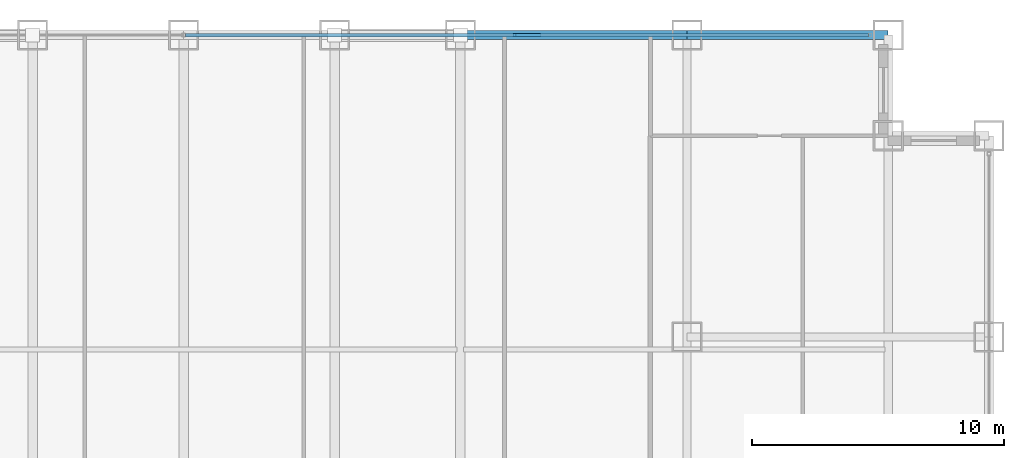
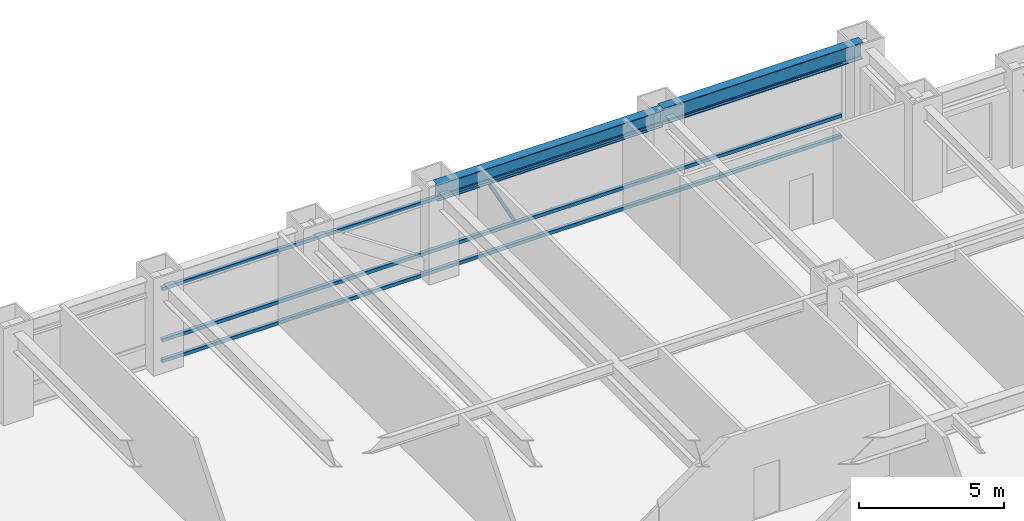
# One storey, part 20 of 27: 4 members, 2 beams, 1 element without a shape of its own.
"""IFC4 building model written with IfcOpenShell, lengths in metres."""

from ifc_helpers import new_model, si_unit, direction, frame, origin, origin_2d, place, context, subcontext, project, spatial, hollow_rectangle, i_section, extrude, source, transform, mapped, material, material_profile, profile_set, type_object, element, aggregate, save


model = new_model("IFC4")

# Units and contexts
model_context = context("Model", 3, precision=1e-05, world=origin(), true_north=direction((0.0, 1.0)))
body_context = subcontext(model_context, "Body", "Model", "MODEL_VIEW")
ifc_project = project(units=[si_unit("LENGTHUNIT", "METRE"), si_unit("AREAUNIT", "SQUARE_METRE"), si_unit("VOLUMEUNIT", "CUBIC_METRE"), si_unit("PLANEANGLEUNIT", "RADIAN"), si_unit("MASSUNIT", "GRAM", prefix="KILO")], contexts=[model_context])

# Site, building, storey
site_placement = place(None, origin())
site = spatial("IfcSite", under=ifc_project, at=site_placement, CompositionType="ELEMENT")
building_placement = place(site_placement, origin())
building = spatial("IfcBuilding", under=site, at=building_placement, Name="Khorayat Bourse Tower", CompositionType="ELEMENT")
storey_placement = place(building_placement, frame((0.0, 0.0, 140.60009765625)))
storey = spatial("IfcBuildingStorey", under=building, at=storey_placement, Name="L32", CompositionType="ELEMENT", Elevation=140.60009765625)

# Beams
ifc_material_1 = material(Name="Steel ASTM A992 Grade 50", Category="steel")
ifc_material_profile_1 = material_profile(ifc_material_1, i_section(OverallWidth=0.35498046875, OverallDepth=0.695068359375, WebThickness=0.015380859375, FlangeThickness=0.02490234375, FilletRadius=0.01806640625, at=origin_2d()), Name="W690X217")
ifc_profile_set_1 = profile_set([ifc_material_profile_1], Name="Steel ASTM A992 Grade 50")
beam_type = type_object("IfcBeamType", Name="BM-SPAN-690", PredefinedType="SPANDREL", material=ifc_profile_set_1)
shared_shape_1 = source(origin(), body_context, "Body", "SweptSolid", [
    extrude(i_section(OverallWidth=0.35498046875, OverallDepth=0.695068359375, WebThickness=0.015380859375, FlangeThickness=0.02490234375, FilletRadius=0.01806640625, at=origin_2d()), origin(), (0.0, 0.0, 1.0), 9.0),
])
beam_1_placement = place(storey_placement, frame((11.0, 32.0, 3.412353515625), z_axis=(1.0, 0.0, 0.0), x_axis=(0.0, 1.0, 0.0)))
element("IfcBeam", 1, at=beam_1_placement, inside=storey, type_object=beam_type, Name="L32 BM-SPAN-690 BM-L32-SPN-045", PredefinedType="SPANDREL", context=body_context, shape_type="MappedRepresentation", body=[
    mapped(shared_shape_1, transform((0.0, 0.0, 0.0), scale=1.0)),
])
shared_shape_2 = source(origin(), body_context, "Body", "SweptSolid", [
    extrude(i_section(OverallWidth=0.35498046875, OverallDepth=0.695068359375, WebThickness=0.015380859375, FlangeThickness=0.02490234375, FilletRadius=0.01806640625, at=origin_2d()), origin(), (0.0, 0.0, 1.0), 8.0),
])
beam_2_placement = place(storey_placement, frame((20.0, 32.0, 3.492431640625), z_axis=(1.0, 0.0, 0.0), x_axis=(0.0, 1.0, 0.0)))
element("IfcBeam", 2, at=beam_2_placement, inside=storey, type_object=beam_type, Name="L32 BM-SPAN-690 BM-L32-SPN-044", PredefinedType="SPANDREL", context=body_context, shape_type="MappedRepresentation", body=[
    mapped(shared_shape_2, transform((0.0, 0.0, 0.0), scale=1.0)),
])

# Curtain wall, members
ifc_material_2 = material(Name="Aluminium EN AW-6063 T6", Category="aluminium")
curtain_wall_type = type_object("IfcCurtainWallType", Name="CW-SYS-02", PredefinedType="NOTDEFINED", material=ifc_material_2)
curtain_wall_placement = place(storey_placement, origin())
curtain_wall = element("IfcCurtainWall", 3, at=curtain_wall_placement, inside=storey, type_object=curtain_wall_type, Name="L32 Curtain Wall CW-L32-N1", PredefinedType="NOTDEFINED")
ifc_material_profile_2 = material_profile(ifc_material_2, hollow_rectangle(XDim=0.139892578125, YDim=0.139892578125, WallThickness=0.006103515625, at=origin_2d()), Name="ALU 140x140x6")
ifc_profile_set_2 = profile_set([ifc_material_profile_2], Name="Aluminium EN AW-6063 T6")
member_type_1 = type_object("IfcMemberType", Name="CWT-HORZ-140", PredefinedType="USERDEFINED", material=ifc_profile_set_2)
shared_shape_3 = source(origin(), body_context, "Body", "SweptSolid", [
    extrude(hollow_rectangle(XDim=0.139892578125, YDim=0.139892578125, WallThickness=0.006103515625, at=origin_2d()), origin(), (0.0, 0.0, 1.0), 27.139892578125),
])
member_1_placement = place(storey_placement, frame((0.070068359375, 32.0, 0.06982421875), z_axis=(1.0, 0.0, 0.0), x_axis=(0.0, 1.0, 0.0)))
member_1 = element("IfcMember", 4, at=member_1_placement, type_object=member_type_1, Name="CW-L32-N1 Horizontal Transom 2-1", ObjectType="TRANSOM", PredefinedType="USERDEFINED", context=body_context, shape_type="MappedRepresentation", body=[
    mapped(shared_shape_3, transform((0.0, 0.0, 0.0), scale=1.0)),
])
member_2_placement = place(storey_placement, frame((0.070068359375, 32.0, 0.949951171875), z_axis=(1.0, 0.0, 0.0), x_axis=(0.0, 1.0, 0.0)))
member_2 = element("IfcMember", 5, at=member_2_placement, type_object=member_type_1, Name="CW-L32-N1 Horizontal Transom 2-2", ObjectType="TRANSOM", PredefinedType="USERDEFINED", context=body_context, shape_type="MappedRepresentation", body=[
    mapped(shared_shape_3, transform((0.0, 0.0, 0.0), scale=1.0)),
])
member_3_placement = place(storey_placement, frame((0.070068359375, 32.0, 3.119873046875), z_axis=(1.0, 0.0, 0.0), x_axis=(0.0, 1.0, 0.0)))
member_3 = element("IfcMember", 6, at=member_3_placement, type_object=member_type_1, Name="CW-L32-N1 Horizontal Transom 2-3", ObjectType="TRANSOM", PredefinedType="USERDEFINED", context=body_context, shape_type="MappedRepresentation", body=[
    mapped(shared_shape_3, transform((0.0, 0.0, 0.0), scale=1.0)),
])
ifc_material_profile_3 = material_profile(ifc_material_2, hollow_rectangle(XDim=0.1201171875, YDim=0.1201171875, WallThickness=0.0048828125, at=origin_2d()), Name="ALU 120x120x5")
ifc_profile_set_3 = profile_set([ifc_material_profile_3], Name="Aluminium EN AW-6063 T6")
member_type_2 = type_object("IfcMemberType", Name="CWM-DIAG-120", PredefinedType="MULLION", material=ifc_profile_set_3)
shared_shape_4 = source(origin(), body_context, "Body", "SweptSolid", [
    extrude(hollow_rectangle(XDim=0.1201171875, YDim=0.1201171875, WallThickness=0.0048828125, at=origin_2d()), origin(), (0.0, 0.0, 1.0), 2.11328125),
])
member_4_placement = place(storey_placement, frame((14.132080078125, 32.0, 1.099853515625), z_axis=(-0.465694055905, 0.0, 0.884945787207), x_axis=(0.0, -1.0, 0.0)))
member_4 = element("IfcMember", 7, at=member_4_placement, type_object=member_type_2, Name="CW-L32-N1 Faceted Diagonal Mullion 2", PredefinedType="MULLION", context=body_context, shape_type="MappedRepresentation", body=[
    mapped(shared_shape_4, transform((0.0, 0.0, 0.0), scale=1.0)),
])
aggregate(curtain_wall, [member_1, member_2, member_3, member_4])

save(model, "model.ifc")
